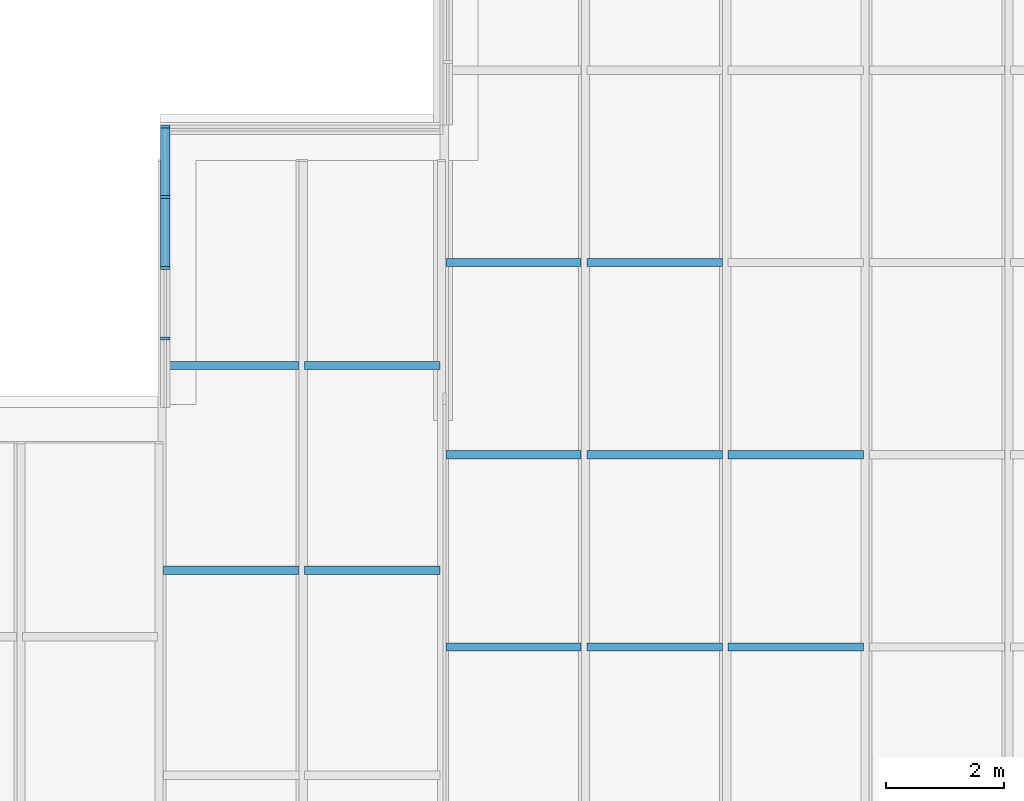
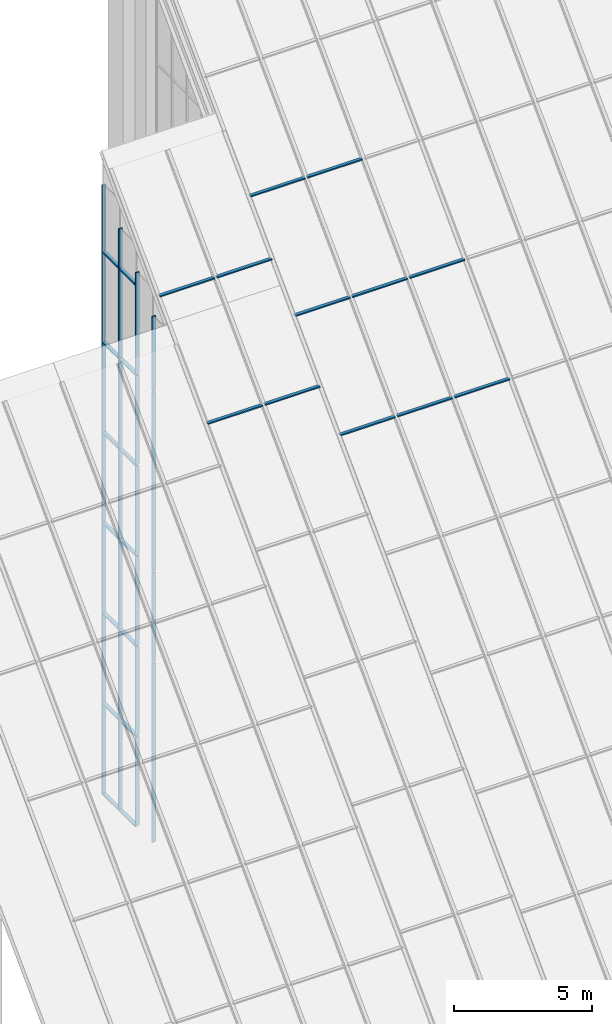
# One storey, part 5 of 25: 52 members, 31 elements without a shape of their own.
"""IFC4 building model written with IfcOpenShell, lengths in metres."""

from ifc_helpers import new_model, si_unit, direction, frame, origin, origin_2d, place, context, subcontext, project, spatial, rectangle, extrude, material, material_profile, profile_set, type_object, element, aggregate, save


model = new_model("IFC4")

# Units and contexts
model_context = context("Model", 3, precision=1e-05, world=origin(), true_north=direction((0.0, 1.0)))
body_context = subcontext(model_context, "Body", "Model", "MODEL_VIEW")
ifc_project = project(units=[si_unit("LENGTHUNIT", "METRE"), si_unit("AREAUNIT", "SQUARE_METRE"), si_unit("VOLUMEUNIT", "CUBIC_METRE"), si_unit("PLANEANGLEUNIT", "RADIAN"), si_unit("MASSUNIT", "GRAM", prefix="KILO")], contexts=[model_context])

# Site, building, storey
site_placement = place(None, origin())
site = spatial("IfcSite", under=ifc_project, at=site_placement, CompositionType="ELEMENT")
building_placement = place(site_placement, origin())
building = spatial("IfcBuilding", under=site, at=building_placement, Name="Baori Bourse Tower", CompositionType="ELEMENT")
storey_placement = place(building_placement, frame((0.0, 0.0, 378.300048828125)))
storey = spatial("IfcBuildingStorey", under=building, at=storey_placement, Name="Roof", CompositionType="ELEMENT", Elevation=378.300048828125)

# Curtain wall, member
ifc_material_1 = material(Name="Pale anodised aluminium", Category="aluminium")
curtain_wall_type_1 = type_object("IfcCurtainWallType", Name="CW3 Curtain wall", PredefinedType="NOTDEFINED", material=ifc_material_1)
curtain_wall_1_placement = place(storey_placement, origin())
curtain_wall_1 = element("IfcCurtainWall", 1, at=curtain_wall_1_placement, inside=storey, type_object=curtain_wall_type_1, Name="Curtain wall CW3 Roof 139", PredefinedType="NOTDEFINED")
ifc_material_2 = material(Name="Pale anodised aluminium", Category="aluminium")
ifc_material_profile_1 = material_profile(ifc_material_2, rectangle(XDim=0.159912109375, YDim=0.050048828125, at=origin_2d()), Name="Mullion 50x160")
ifc_profile_set_1 = profile_set([ifc_material_profile_1], Name="Pale anodised aluminium")
member_type_1 = type_object("IfcMemberType", Name="CW3 Curtain wall mullion", PredefinedType="MULLION", material=ifc_profile_set_1)
member_1_placement = place(storey_placement, frame((14.47998046875, 43.175048828125, -0.18994140625), z_axis=(0.0, 0.0, 1.0), x_axis=(1.0, 0.0, 0.0)))
member_1 = element("IfcMember", 2, at=member_1_placement, type_object=member_type_1, Name="Curtain wall CW3 mullion", PredefinedType="MULLION", context=body_context, shape_type="SweptSolid", body=[
    extrude(rectangle(XDim=0.159912109375, YDim=0.050048828125, at=origin_2d()), origin(), (0.0, 0.0, 1.0), 3.93994140625),
])

curtain_wall_2_placement = place(storey_placement, origin())
curtain_wall_2 = element("IfcCurtainWall", 3, at=curtain_wall_2_placement, inside=storey, type_object=curtain_wall_type_1, Name="Curtain wall CW3 Roof 140", PredefinedType="NOTDEFINED")
member_2_placement = place(storey_placement, frame((14.47998046875, 43.175048828125, 3.81005859375), z_axis=(0.0, 0.0, 1.0), x_axis=(1.0, 0.0, 0.0)))
member_2 = element("IfcMember", 4, at=member_2_placement, type_object=member_type_1, Name="Curtain wall CW3 mullion", PredefinedType="MULLION", context=body_context, shape_type="SweptSolid", body=[
    extrude(rectangle(XDim=0.159912109375, YDim=0.050048828125, at=origin_2d()), origin(), (0.0, 0.0, 1.0), 3.93994140625),
])

curtain_wall_3_placement = place(storey_placement, origin())
curtain_wall_3 = element("IfcCurtainWall", 5, at=curtain_wall_3_placement, inside=storey, type_object=curtain_wall_type_1, Name="Curtain wall CW3 Roof 141", PredefinedType="NOTDEFINED")
member_3_placement = place(storey_placement, frame((14.47998046875, 43.175048828125, 7.81005859375), z_axis=(0.0, 0.0, 1.0), x_axis=(1.0, 0.0, 0.0)))
member_3 = element("IfcMember", 6, at=member_3_placement, type_object=member_type_1, Name="Curtain wall CW3 mullion", PredefinedType="MULLION", context=body_context, shape_type="SweptSolid", body=[
    extrude(rectangle(XDim=0.159912109375, YDim=0.050048828125, at=origin_2d()), origin(), (0.0, 0.0, 1.0), 3.93994140625),
])

curtain_wall_4_placement = place(storey_placement, origin())
curtain_wall_4 = element("IfcCurtainWall", 7, at=curtain_wall_4_placement, inside=storey, type_object=curtain_wall_type_1, Name="Curtain wall CW3 Roof 142", PredefinedType="NOTDEFINED")
member_4_placement = place(storey_placement, frame((14.47998046875, 43.175048828125, 11.81005859375), z_axis=(0.0, 0.0, 1.0), x_axis=(1.0, 0.0, 0.0)))
member_4 = element("IfcMember", 8, at=member_4_placement, type_object=member_type_1, Name="Curtain wall CW3 mullion", PredefinedType="MULLION", context=body_context, shape_type="SweptSolid", body=[
    extrude(rectangle(XDim=0.159912109375, YDim=0.050048828125, at=origin_2d()), origin(), (0.0, 0.0, 1.0), 3.93994140625),
])

curtain_wall_5_placement = place(storey_placement, origin())
curtain_wall_5 = element("IfcCurtainWall", 9, at=curtain_wall_5_placement, inside=storey, type_object=curtain_wall_type_1, Name="Curtain wall CW3 Roof 143", PredefinedType="NOTDEFINED")
member_5_placement = place(storey_placement, frame((14.47998046875, 43.175048828125, 15.81005859375), z_axis=(0.0, 0.0, 1.0), x_axis=(1.0, 0.0, 0.0)))
member_5 = element("IfcMember", 10, at=member_5_placement, type_object=member_type_1, Name="Curtain wall CW3 mullion", PredefinedType="MULLION", context=body_context, shape_type="SweptSolid", body=[
    extrude(rectangle(XDim=0.159912109375, YDim=0.050048828125, at=origin_2d()), origin(), (0.0, 0.0, 1.0), 3.93994140625),
])

curtain_wall_6_placement = place(storey_placement, origin())
curtain_wall_6 = element("IfcCurtainWall", 11, at=curtain_wall_6_placement, inside=storey, type_object=curtain_wall_type_1, Name="Curtain wall CW3 Roof 144", PredefinedType="NOTDEFINED")
member_6_placement = place(storey_placement, frame((14.47998046875, 43.175048828125, 19.81005859375), z_axis=(0.0, 0.0, 1.0), x_axis=(1.0, 0.0, 0.0)))
member_6 = element("IfcMember", 12, at=member_6_placement, type_object=member_type_1, Name="Curtain wall CW3 mullion", PredefinedType="MULLION", context=body_context, shape_type="SweptSolid", body=[
    extrude(rectangle(XDim=0.159912109375, YDim=0.050048828125, at=origin_2d()), origin(), (0.0, 0.0, 1.0), 3.93994140625),
])

curtain_wall_7_placement = place(storey_placement, origin())
curtain_wall_7 = element("IfcCurtainWall", 13, at=curtain_wall_7_placement, inside=storey, type_object=curtain_wall_type_1, Name="Curtain wall CW3 Roof 145", PredefinedType="NOTDEFINED")
member_7_placement = place(storey_placement, frame((14.47998046875, 43.175048828125, 23.81005859375), z_axis=(0.0, 0.0, 1.0), x_axis=(1.0, 0.0, 0.0)))
member_7 = element("IfcMember", 14, at=member_7_placement, type_object=member_type_1, Name="Curtain wall CW3 mullion", PredefinedType="MULLION", context=body_context, shape_type="SweptSolid", body=[
    extrude(rectangle(XDim=0.159912109375, YDim=0.050048828125, at=origin_2d()), origin(), (0.0, 0.0, 1.0), 2.94482421875),
])

curtain_wall_8_placement = place(storey_placement, origin())
curtain_wall_8 = element("IfcCurtainWall", 15, at=curtain_wall_8_placement, inside=storey, type_object=curtain_wall_type_1, Name="Curtain wall CW3 Roof 146", PredefinedType="NOTDEFINED")
member_8_placement = place(storey_placement, frame((14.47998046875, 41.97509765625, -0.18994140625), z_axis=(0.0, 0.0, 1.0), x_axis=(1.0, 0.0, 0.0)))
member_8 = element("IfcMember", 16, at=member_8_placement, type_object=member_type_1, Name="Curtain wall CW3 mullion", PredefinedType="MULLION", context=body_context, shape_type="SweptSolid", body=[
    extrude(rectangle(XDim=0.159912109375, YDim=0.050048828125, at=origin_2d()), origin(), (0.0, 0.0, 1.0), 3.93994140625),
])

curtain_wall_9_placement = place(storey_placement, origin())
curtain_wall_9 = element("IfcCurtainWall", 17, at=curtain_wall_9_placement, inside=storey, type_object=curtain_wall_type_1, Name="Curtain wall CW3 Roof 147", PredefinedType="NOTDEFINED")
member_9_placement = place(storey_placement, frame((14.47998046875, 41.97509765625, 3.81005859375), z_axis=(0.0, 0.0, 1.0), x_axis=(1.0, 0.0, 0.0)))
member_9 = element("IfcMember", 18, at=member_9_placement, type_object=member_type_1, Name="Curtain wall CW3 mullion", PredefinedType="MULLION", context=body_context, shape_type="SweptSolid", body=[
    extrude(rectangle(XDim=0.159912109375, YDim=0.050048828125, at=origin_2d()), origin(), (0.0, 0.0, 1.0), 3.93994140625),
])

curtain_wall_10_placement = place(storey_placement, origin())
curtain_wall_10 = element("IfcCurtainWall", 19, at=curtain_wall_10_placement, inside=storey, type_object=curtain_wall_type_1, Name="Curtain wall CW3 Roof 148", PredefinedType="NOTDEFINED")
member_10_placement = place(storey_placement, frame((14.47998046875, 41.97509765625, 7.81005859375), z_axis=(0.0, 0.0, 1.0), x_axis=(1.0, 0.0, 0.0)))
member_10 = element("IfcMember", 20, at=member_10_placement, type_object=member_type_1, Name="Curtain wall CW3 mullion", PredefinedType="MULLION", context=body_context, shape_type="SweptSolid", body=[
    extrude(rectangle(XDim=0.159912109375, YDim=0.050048828125, at=origin_2d()), origin(), (0.0, 0.0, 1.0), 3.93994140625),
])

curtain_wall_11_placement = place(storey_placement, origin())
curtain_wall_11 = element("IfcCurtainWall", 21, at=curtain_wall_11_placement, inside=storey, type_object=curtain_wall_type_1, Name="Curtain wall CW3 Roof 149", PredefinedType="NOTDEFINED")
member_11_placement = place(storey_placement, frame((14.47998046875, 41.97509765625, 11.81005859375), z_axis=(0.0, 0.0, 1.0), x_axis=(1.0, 0.0, 0.0)))
member_11 = element("IfcMember", 22, at=member_11_placement, type_object=member_type_1, Name="Curtain wall CW3 mullion", PredefinedType="MULLION", context=body_context, shape_type="SweptSolid", body=[
    extrude(rectangle(XDim=0.159912109375, YDim=0.050048828125, at=origin_2d()), origin(), (0.0, 0.0, 1.0), 3.93994140625),
])

curtain_wall_12_placement = place(storey_placement, origin())
curtain_wall_12 = element("IfcCurtainWall", 23, at=curtain_wall_12_placement, inside=storey, type_object=curtain_wall_type_1, Name="Curtain wall CW3 Roof 150", PredefinedType="NOTDEFINED")
member_12_placement = place(storey_placement, frame((14.47998046875, 41.97509765625, 15.81005859375), z_axis=(0.0, 0.0, 1.0), x_axis=(1.0, 0.0, 0.0)))
member_12 = element("IfcMember", 24, at=member_12_placement, type_object=member_type_1, Name="Curtain wall CW3 mullion", PredefinedType="MULLION", context=body_context, shape_type="SweptSolid", body=[
    extrude(rectangle(XDim=0.159912109375, YDim=0.050048828125, at=origin_2d()), origin(), (0.0, 0.0, 1.0), 3.93994140625),
])

curtain_wall_13_placement = place(storey_placement, origin())
curtain_wall_13 = element("IfcCurtainWall", 25, at=curtain_wall_13_placement, inside=storey, type_object=curtain_wall_type_1, Name="Curtain wall CW3 Roof 151", PredefinedType="NOTDEFINED")
member_13_placement = place(storey_placement, frame((14.47998046875, 41.97509765625, 19.81005859375), z_axis=(0.0, 0.0, 1.0), x_axis=(1.0, 0.0, 0.0)))
member_13 = element("IfcMember", 26, at=member_13_placement, type_object=member_type_1, Name="Curtain wall CW3 mullion", PredefinedType="MULLION", context=body_context, shape_type="SweptSolid", body=[
    extrude(rectangle(XDim=0.159912109375, YDim=0.050048828125, at=origin_2d()), origin(), (0.0, 0.0, 1.0), 3.93994140625),
])

curtain_wall_14_placement = place(storey_placement, origin())
curtain_wall_14 = element("IfcCurtainWall", 27, at=curtain_wall_14_placement, inside=storey, type_object=curtain_wall_type_1, Name="Curtain wall CW3 Roof 152", PredefinedType="NOTDEFINED")
member_14_placement = place(storey_placement, frame((14.47998046875, 41.97509765625, 23.81005859375), z_axis=(0.0, 0.0, 1.0), x_axis=(1.0, 0.0, 0.0)))
member_14 = element("IfcMember", 28, at=member_14_placement, type_object=member_type_1, Name="Curtain wall CW3 mullion", PredefinedType="MULLION", context=body_context, shape_type="SweptSolid", body=[
    extrude(rectangle(XDim=0.159912109375, YDim=0.050048828125, at=origin_2d()), origin(), (0.0, 0.0, 1.0), 1.72998046875),
])

curtain_wall_15_placement = place(storey_placement, origin())
curtain_wall_15 = element("IfcCurtainWall", 29, at=curtain_wall_15_placement, inside=storey, type_object=curtain_wall_type_1, Name="Curtain wall CW3 Roof 153", PredefinedType="NOTDEFINED")
member_15_placement = place(storey_placement, frame((14.47998046875, 40.77490234375, -0.18994140625), z_axis=(0.0, 0.0, 1.0), x_axis=(1.0, 0.0, 0.0)))
member_15 = element("IfcMember", 30, at=member_15_placement, type_object=member_type_1, Name="Curtain wall CW3 mullion", PredefinedType="MULLION", context=body_context, shape_type="SweptSolid", body=[
    extrude(rectangle(XDim=0.159912109375, YDim=0.050048828125, at=origin_2d()), origin(), (0.0, 0.0, 1.0), 3.93994140625),
])
aggregate(curtain_wall_15, [member_15])

curtain_wall_16_placement = place(storey_placement, origin())
curtain_wall_16 = element("IfcCurtainWall", 31, at=curtain_wall_16_placement, inside=storey, type_object=curtain_wall_type_1, Name="Curtain wall CW3 Roof 154", PredefinedType="NOTDEFINED")
member_16_placement = place(storey_placement, frame((14.47998046875, 40.77490234375, 3.81005859375), z_axis=(0.0, 0.0, 1.0), x_axis=(1.0, 0.0, 0.0)))
member_16 = element("IfcMember", 32, at=member_16_placement, type_object=member_type_1, Name="Curtain wall CW3 mullion", PredefinedType="MULLION", context=body_context, shape_type="SweptSolid", body=[
    extrude(rectangle(XDim=0.159912109375, YDim=0.050048828125, at=origin_2d()), origin(), (0.0, 0.0, 1.0), 3.93994140625),
])
aggregate(curtain_wall_16, [member_16])

curtain_wall_17_placement = place(storey_placement, origin())
curtain_wall_17 = element("IfcCurtainWall", 33, at=curtain_wall_17_placement, inside=storey, type_object=curtain_wall_type_1, Name="Curtain wall CW3 Roof 155", PredefinedType="NOTDEFINED")
member_17_placement = place(storey_placement, frame((14.47998046875, 40.77490234375, 7.81005859375), z_axis=(0.0, 0.0, 1.0), x_axis=(1.0, 0.0, 0.0)))
member_17 = element("IfcMember", 34, at=member_17_placement, type_object=member_type_1, Name="Curtain wall CW3 mullion", PredefinedType="MULLION", context=body_context, shape_type="SweptSolid", body=[
    extrude(rectangle(XDim=0.159912109375, YDim=0.050048828125, at=origin_2d()), origin(), (0.0, 0.0, 1.0), 3.93994140625),
])
aggregate(curtain_wall_17, [member_17])

curtain_wall_18_placement = place(storey_placement, origin())
curtain_wall_18 = element("IfcCurtainWall", 35, at=curtain_wall_18_placement, inside=storey, type_object=curtain_wall_type_1, Name="Curtain wall CW3 Roof 156", PredefinedType="NOTDEFINED")
member_18_placement = place(storey_placement, frame((14.47998046875, 40.77490234375, 11.81005859375), z_axis=(0.0, 0.0, 1.0), x_axis=(1.0, 0.0, 0.0)))
member_18 = element("IfcMember", 36, at=member_18_placement, type_object=member_type_1, Name="Curtain wall CW3 mullion", PredefinedType="MULLION", context=body_context, shape_type="SweptSolid", body=[
    extrude(rectangle(XDim=0.159912109375, YDim=0.050048828125, at=origin_2d()), origin(), (0.0, 0.0, 1.0), 3.93994140625),
])
aggregate(curtain_wall_18, [member_18])

curtain_wall_19_placement = place(storey_placement, origin())
curtain_wall_19 = element("IfcCurtainWall", 37, at=curtain_wall_19_placement, inside=storey, type_object=curtain_wall_type_1, Name="Curtain wall CW3 Roof 157", PredefinedType="NOTDEFINED")
member_19_placement = place(storey_placement, frame((14.47998046875, 40.77490234375, 15.81005859375), z_axis=(0.0, 0.0, 1.0), x_axis=(1.0, 0.0, 0.0)))
member_19 = element("IfcMember", 38, at=member_19_placement, type_object=member_type_1, Name="Curtain wall CW3 mullion", PredefinedType="MULLION", context=body_context, shape_type="SweptSolid", body=[
    extrude(rectangle(XDim=0.159912109375, YDim=0.050048828125, at=origin_2d()), origin(), (0.0, 0.0, 1.0), 3.93994140625),
])
aggregate(curtain_wall_19, [member_19])

curtain_wall_20_placement = place(storey_placement, origin())
curtain_wall_20 = element("IfcCurtainWall", 39, at=curtain_wall_20_placement, inside=storey, type_object=curtain_wall_type_1, Name="Curtain wall CW3 Roof 158", PredefinedType="NOTDEFINED")
member_20_placement = place(storey_placement, frame((14.47998046875, 40.77490234375, 19.81005859375), z_axis=(0.0, 0.0, 1.0), x_axis=(1.0, 0.0, 0.0)))
member_20 = element("IfcMember", 40, at=member_20_placement, type_object=member_type_1, Name="Curtain wall CW3 mullion", PredefinedType="MULLION", context=body_context, shape_type="SweptSolid", body=[
    extrude(rectangle(XDim=0.159912109375, YDim=0.050048828125, at=origin_2d()), origin(), (0.0, 0.0, 1.0), 4.514892578125),
])
aggregate(curtain_wall_20, [member_20])

curtain_wall_21_placement = place(storey_placement, origin())
curtain_wall_21 = element("IfcCurtainWall", 41, at=curtain_wall_21_placement, inside=storey, type_object=curtain_wall_type_1, Name="Curtain wall CW3 Roof 159", PredefinedType="NOTDEFINED")
member_21_placement = place(storey_placement, frame((14.47998046875, 39.574951171875, -0.18994140625), z_axis=(0.0, 0.0, 1.0), x_axis=(1.0, 0.0, 0.0)))
member_21 = element("IfcMember", 42, at=member_21_placement, type_object=member_type_1, Name="Curtain wall CW3 mullion", PredefinedType="MULLION", context=body_context, shape_type="SweptSolid", body=[
    extrude(rectangle(XDim=0.159912109375, YDim=0.050048828125, at=origin_2d()), origin(), (0.0, 0.0, 1.0), 3.93994140625),
])
aggregate(curtain_wall_21, [member_21])

curtain_wall_22_placement = place(storey_placement, origin())
curtain_wall_22 = element("IfcCurtainWall", 43, at=curtain_wall_22_placement, inside=storey, type_object=curtain_wall_type_1, Name="Curtain wall CW3 Roof 160", PredefinedType="NOTDEFINED")
member_22_placement = place(storey_placement, frame((14.47998046875, 39.574951171875, 3.81005859375), z_axis=(0.0, 0.0, 1.0), x_axis=(1.0, 0.0, 0.0)))
member_22 = element("IfcMember", 44, at=member_22_placement, type_object=member_type_1, Name="Curtain wall CW3 mullion", PredefinedType="MULLION", context=body_context, shape_type="SweptSolid", body=[
    extrude(rectangle(XDim=0.159912109375, YDim=0.050048828125, at=origin_2d()), origin(), (0.0, 0.0, 1.0), 3.93994140625),
])
aggregate(curtain_wall_22, [member_22])

curtain_wall_23_placement = place(storey_placement, origin())
curtain_wall_23 = element("IfcCurtainWall", 45, at=curtain_wall_23_placement, inside=storey, type_object=curtain_wall_type_1, Name="Curtain wall CW3 Roof 161", PredefinedType="NOTDEFINED")
member_23_placement = place(storey_placement, frame((14.47998046875, 39.574951171875, 7.81005859375), z_axis=(0.0, 0.0, 1.0), x_axis=(1.0, 0.0, 0.0)))
member_23 = element("IfcMember", 46, at=member_23_placement, type_object=member_type_1, Name="Curtain wall CW3 mullion", PredefinedType="MULLION", context=body_context, shape_type="SweptSolid", body=[
    extrude(rectangle(XDim=0.159912109375, YDim=0.050048828125, at=origin_2d()), origin(), (0.0, 0.0, 1.0), 3.93994140625),
])
aggregate(curtain_wall_23, [member_23])

curtain_wall_24_placement = place(storey_placement, origin())
curtain_wall_24 = element("IfcCurtainWall", 47, at=curtain_wall_24_placement, inside=storey, type_object=curtain_wall_type_1, Name="Curtain wall CW3 Roof 162", PredefinedType="NOTDEFINED")
member_24_placement = place(storey_placement, frame((14.47998046875, 39.574951171875, 11.81005859375), z_axis=(0.0, 0.0, 1.0), x_axis=(1.0, 0.0, 0.0)))
member_24 = element("IfcMember", 48, at=member_24_placement, type_object=member_type_1, Name="Curtain wall CW3 mullion", PredefinedType="MULLION", context=body_context, shape_type="SweptSolid", body=[
    extrude(rectangle(XDim=0.159912109375, YDim=0.050048828125, at=origin_2d()), origin(), (0.0, 0.0, 1.0), 3.93994140625),
])
aggregate(curtain_wall_24, [member_24])

curtain_wall_25_placement = place(storey_placement, origin())
curtain_wall_25 = element("IfcCurtainWall", 49, at=curtain_wall_25_placement, inside=storey, type_object=curtain_wall_type_1, Name="Curtain wall CW3 Roof 163", PredefinedType="NOTDEFINED")
member_25_placement = place(storey_placement, frame((14.47998046875, 39.574951171875, 15.81005859375), z_axis=(0.0, 0.0, 1.0), x_axis=(1.0, 0.0, 0.0)))
member_25 = element("IfcMember", 50, at=member_25_placement, type_object=member_type_1, Name="Curtain wall CW3 mullion", PredefinedType="MULLION", context=body_context, shape_type="SweptSolid", body=[
    extrude(rectangle(XDim=0.159912109375, YDim=0.050048828125, at=origin_2d()), origin(), (0.0, 0.0, 1.0), 3.93994140625),
])
aggregate(curtain_wall_25, [member_25])

curtain_wall_26_placement = place(storey_placement, origin())
curtain_wall_26 = element("IfcCurtainWall", 51, at=curtain_wall_26_placement, inside=storey, type_object=curtain_wall_type_1, Name="Curtain wall CW3 Roof 164", PredefinedType="NOTDEFINED")
member_26_placement = place(storey_placement, frame((14.47998046875, 39.574951171875, 19.81005859375), z_axis=(0.0, 0.0, 1.0), x_axis=(1.0, 0.0, 0.0)))
member_26 = element("IfcMember", 52, at=member_26_placement, type_object=member_type_1, Name="Curtain wall CW3 mullion", PredefinedType="MULLION", context=body_context, shape_type="SweptSolid", body=[
    extrude(rectangle(XDim=0.159912109375, YDim=0.050048828125, at=origin_2d()), origin(), (0.0, 0.0, 1.0), 3.2998046875),
])
aggregate(curtain_wall_26, [member_26])

# Member
ifc_material_3 = material(Name="Pale anodised aluminium", Category="aluminium")
ifc_material_profile_2 = material_profile(ifc_material_3, rectangle(XDim=0.159912109375, YDim=0.06005859375, at=origin_2d()), Name="Transom 60x160")
ifc_profile_set_2 = profile_set([ifc_material_profile_2], Name="Pale anodised aluminium")
member_type_2 = type_object("IfcMemberType", Name="CW3 Curtain wall transom", PredefinedType="USERDEFINED", material=ifc_profile_set_2)
member_27_placement = place(storey_placement, frame((14.47998046875, 43.199951171875, -0.219970703125), z_axis=(0.0, -1.0, 0.0), x_axis=(1.0, 0.0, 0.0)))
member_27 = element("IfcMember", 53, at=member_27_placement, type_object=member_type_2, Name="Curtain wall CW3 sill rail", ObjectType="TRANSOM", PredefinedType="USERDEFINED", context=body_context, shape_type="SweptSolid", body=[
    extrude(rectangle(XDim=0.159912109375, YDim=0.06005859375, at=origin_2d()), origin(), (0.0, 0.0, 1.0), 1.199951171875),
])

aggregate(curtain_wall_1, [member_27, member_1])

member_28_placement = place(storey_placement, frame((14.47998046875, 43.199951171875, 3.780029296875), z_axis=(0.0, -1.0, 0.0), x_axis=(1.0, 0.0, 0.0)))
member_28 = element("IfcMember", 54, at=member_28_placement, type_object=member_type_2, Name="Curtain wall CW3 sill rail", ObjectType="TRANSOM", PredefinedType="USERDEFINED", context=body_context, shape_type="SweptSolid", body=[
    extrude(rectangle(XDim=0.159912109375, YDim=0.06005859375, at=origin_2d()), origin(), (0.0, 0.0, 1.0), 1.199951171875),
])

aggregate(curtain_wall_2, [member_28, member_2])

member_29_placement = place(storey_placement, frame((14.47998046875, 43.199951171875, 7.780029296875), z_axis=(0.0, -1.0, 0.0), x_axis=(1.0, 0.0, 0.0)))
member_29 = element("IfcMember", 55, at=member_29_placement, type_object=member_type_2, Name="Curtain wall CW3 sill rail", ObjectType="TRANSOM", PredefinedType="USERDEFINED", context=body_context, shape_type="SweptSolid", body=[
    extrude(rectangle(XDim=0.159912109375, YDim=0.06005859375, at=origin_2d()), origin(), (0.0, 0.0, 1.0), 1.199951171875),
])

aggregate(curtain_wall_3, [member_29, member_3])

member_30_placement = place(storey_placement, frame((14.47998046875, 43.199951171875, 11.780029296875), z_axis=(0.0, -1.0, 0.0), x_axis=(1.0, 0.0, 0.0)))
member_30 = element("IfcMember", 56, at=member_30_placement, type_object=member_type_2, Name="Curtain wall CW3 sill rail", ObjectType="TRANSOM", PredefinedType="USERDEFINED", context=body_context, shape_type="SweptSolid", body=[
    extrude(rectangle(XDim=0.159912109375, YDim=0.06005859375, at=origin_2d()), origin(), (0.0, 0.0, 1.0), 1.199951171875),
])

aggregate(curtain_wall_4, [member_30, member_4])

member_31_placement = place(storey_placement, frame((14.47998046875, 43.199951171875, 15.780029296875), z_axis=(0.0, -1.0, 0.0), x_axis=(1.0, 0.0, 0.0)))
member_31 = element("IfcMember", 57, at=member_31_placement, type_object=member_type_2, Name="Curtain wall CW3 sill rail", ObjectType="TRANSOM", PredefinedType="USERDEFINED", context=body_context, shape_type="SweptSolid", body=[
    extrude(rectangle(XDim=0.159912109375, YDim=0.06005859375, at=origin_2d()), origin(), (0.0, 0.0, 1.0), 1.199951171875),
])

aggregate(curtain_wall_5, [member_31, member_5])

member_32_placement = place(storey_placement, frame((14.47998046875, 43.199951171875, 19.780029296875), z_axis=(0.0, -1.0, 0.0), x_axis=(1.0, 0.0, 0.0)))
member_32 = element("IfcMember", 58, at=member_32_placement, type_object=member_type_2, Name="Curtain wall CW3 sill rail", ObjectType="TRANSOM", PredefinedType="USERDEFINED", context=body_context, shape_type="SweptSolid", body=[
    extrude(rectangle(XDim=0.159912109375, YDim=0.06005859375, at=origin_2d()), origin(), (0.0, 0.0, 1.0), 1.199951171875),
])

aggregate(curtain_wall_6, [member_32, member_6])

member_33_placement = place(storey_placement, frame((14.47998046875, 43.199951171875, 23.780029296875), z_axis=(0.0, -1.0, 0.0), x_axis=(1.0, 0.0, 0.0)))
member_33 = element("IfcMember", 59, at=member_33_placement, type_object=member_type_2, Name="Curtain wall CW3 sill rail", ObjectType="TRANSOM", PredefinedType="USERDEFINED", context=body_context, shape_type="SweptSolid", body=[
    extrude(rectangle(XDim=0.159912109375, YDim=0.06005859375, at=origin_2d()), origin(), (0.0, 0.0, 1.0), 1.199951171875),
])

aggregate(curtain_wall_7, [member_33, member_7])

member_34_placement = place(storey_placement, frame((14.47998046875, 42.0, -0.219970703125), z_axis=(0.0, -1.0, 0.0), x_axis=(1.0, 0.0, 0.0)))
member_34 = element("IfcMember", 60, at=member_34_placement, type_object=member_type_2, Name="Curtain wall CW3 sill rail", ObjectType="TRANSOM", PredefinedType="USERDEFINED", context=body_context, shape_type="SweptSolid", body=[
    extrude(rectangle(XDim=0.159912109375, YDim=0.06005859375, at=origin_2d()), origin(), (0.0, 0.0, 1.0), 1.199951171875),
])

aggregate(curtain_wall_8, [member_34, member_8])

member_35_placement = place(storey_placement, frame((14.47998046875, 42.0, 3.780029296875), z_axis=(0.0, -1.0, 0.0), x_axis=(1.0, 0.0, 0.0)))
member_35 = element("IfcMember", 61, at=member_35_placement, type_object=member_type_2, Name="Curtain wall CW3 sill rail", ObjectType="TRANSOM", PredefinedType="USERDEFINED", context=body_context, shape_type="SweptSolid", body=[
    extrude(rectangle(XDim=0.159912109375, YDim=0.06005859375, at=origin_2d()), origin(), (0.0, 0.0, 1.0), 1.199951171875),
])

aggregate(curtain_wall_9, [member_35, member_9])

member_36_placement = place(storey_placement, frame((14.47998046875, 42.0, 7.780029296875), z_axis=(0.0, -1.0, 0.0), x_axis=(1.0, 0.0, 0.0)))
member_36 = element("IfcMember", 62, at=member_36_placement, type_object=member_type_2, Name="Curtain wall CW3 sill rail", ObjectType="TRANSOM", PredefinedType="USERDEFINED", context=body_context, shape_type="SweptSolid", body=[
    extrude(rectangle(XDim=0.159912109375, YDim=0.06005859375, at=origin_2d()), origin(), (0.0, 0.0, 1.0), 1.199951171875),
])

aggregate(curtain_wall_10, [member_36, member_10])

member_37_placement = place(storey_placement, frame((14.47998046875, 42.0, 11.780029296875), z_axis=(0.0, -1.0, 0.0), x_axis=(1.0, 0.0, 0.0)))
member_37 = element("IfcMember", 63, at=member_37_placement, type_object=member_type_2, Name="Curtain wall CW3 sill rail", ObjectType="TRANSOM", PredefinedType="USERDEFINED", context=body_context, shape_type="SweptSolid", body=[
    extrude(rectangle(XDim=0.159912109375, YDim=0.06005859375, at=origin_2d()), origin(), (0.0, 0.0, 1.0), 1.199951171875),
])

aggregate(curtain_wall_11, [member_37, member_11])

member_38_placement = place(storey_placement, frame((14.47998046875, 42.0, 15.780029296875), z_axis=(0.0, -1.0, 0.0), x_axis=(1.0, 0.0, 0.0)))
member_38 = element("IfcMember", 64, at=member_38_placement, type_object=member_type_2, Name="Curtain wall CW3 sill rail", ObjectType="TRANSOM", PredefinedType="USERDEFINED", context=body_context, shape_type="SweptSolid", body=[
    extrude(rectangle(XDim=0.159912109375, YDim=0.06005859375, at=origin_2d()), origin(), (0.0, 0.0, 1.0), 1.199951171875),
])

aggregate(curtain_wall_12, [member_38, member_12])

member_39_placement = place(storey_placement, frame((14.47998046875, 42.0, 19.780029296875), z_axis=(0.0, -1.0, 0.0), x_axis=(1.0, 0.0, 0.0)))
member_39 = element("IfcMember", 65, at=member_39_placement, type_object=member_type_2, Name="Curtain wall CW3 sill rail", ObjectType="TRANSOM", PredefinedType="USERDEFINED", context=body_context, shape_type="SweptSolid", body=[
    extrude(rectangle(XDim=0.159912109375, YDim=0.06005859375, at=origin_2d()), origin(), (0.0, 0.0, 1.0), 1.199951171875),
])

aggregate(curtain_wall_13, [member_39, member_13])

member_40_placement = place(storey_placement, frame((14.47998046875, 42.0, 23.780029296875), z_axis=(0.0, -1.0, 0.0), x_axis=(1.0, 0.0, 0.0)))
member_40 = element("IfcMember", 66, at=member_40_placement, type_object=member_type_2, Name="Curtain wall CW3 sill rail", ObjectType="TRANSOM", PredefinedType="USERDEFINED", context=body_context, shape_type="SweptSolid", body=[
    extrude(rectangle(XDim=0.159912109375, YDim=0.06005859375, at=origin_2d()), origin(), (0.0, 0.0, 1.0), 1.199951171875),
])

aggregate(curtain_wall_14, [member_40, member_14])

# Curtain wall, members
ifc_material_4 = material(Name="Pale anodised aluminium", Category="aluminium")
curtain_wall_type_2 = type_object("IfcCurtainWallType", Name="CW4 Curtain wall", PredefinedType="NOTDEFINED", material=ifc_material_4)
curtain_wall_27_placement = place(storey_placement, origin())
curtain_wall_27 = element("IfcCurtainWall", 67, at=curtain_wall_27_placement, inside=storey, type_object=curtain_wall_type_2, Name="Curtain wall CW4 roof glazing 6", PredefinedType="NOTDEFINED")
ifc_material_5 = material(Name="Pale anodised aluminium", Category="aluminium")
ifc_material_profile_3 = material_profile(ifc_material_5, rectangle(XDim=0.139892578125, YDim=0.054931640625, at=origin_2d()), Name="Transom 55x140")
ifc_profile_set_3 = profile_set([ifc_material_profile_3], Name="Pale anodised aluminium")
member_type_3 = type_object("IfcMemberType", Name="CW4 Curtain wall transom", PredefinedType="USERDEFINED", material=ifc_profile_set_3)
member_41_placement = place(storey_placement, frame((14.449951171875, 35.630859375, 20.76123046875), z_axis=(1.0, 0.0, 0.0), x_axis=(0.0, 1.0, 0.0)))
member_41 = element("IfcMember", 68, at=member_41_placement, type_object=member_type_3, Name="Curtain wall CW4 cross bar 6.6", ObjectType="TRANSOM", PredefinedType="USERDEFINED", context=body_context, shape_type="SweptSolid", body=[
    extrude(rectangle(XDim=0.139892578125, YDim=0.054931640625, at=origin_2d()), origin(), (0.0, 0.0, 1.0), 2.300048828125),
])
member_42_placement = place(storey_placement, frame((14.449951171875, 39.115478515625, 24.289306640625), z_axis=(1.0, 0.0, 0.0), x_axis=(0.0, 1.0, 0.0)))
member_42 = element("IfcMember", 69, at=member_42_placement, type_object=member_type_3, Name="Curtain wall CW4 cross bar 6.7", ObjectType="TRANSOM", PredefinedType="USERDEFINED", context=body_context, shape_type="SweptSolid", body=[
    extrude(rectangle(XDim=0.139892578125, YDim=0.054931640625, at=origin_2d()), origin(), (0.0, 0.0, 1.0), 2.300048828125),
])
aggregate(curtain_wall_27, [member_41, member_42])

curtain_wall_28_placement = place(storey_placement, origin())
curtain_wall_28 = element("IfcCurtainWall", 70, at=curtain_wall_28_placement, inside=storey, type_object=curtain_wall_type_2, Name="Curtain wall CW4 roof glazing 7", PredefinedType="NOTDEFINED")
member_43_placement = place(storey_placement, frame((16.85009765625, 35.630859375, 20.76123046875), z_axis=(1.0, 0.0, 0.0), x_axis=(0.0, 1.0, 0.0)))
member_43 = element("IfcMember", 71, at=member_43_placement, type_object=member_type_3, Name="Curtain wall CW4 cross bar 7.6", ObjectType="TRANSOM", PredefinedType="USERDEFINED", context=body_context, shape_type="SweptSolid", body=[
    extrude(rectangle(XDim=0.139892578125, YDim=0.054931640625, at=origin_2d()), origin(), (0.0, 0.0, 1.0), 2.2998046875),
])
member_44_placement = place(storey_placement, frame((16.85009765625, 39.115478515625, 24.289306640625), z_axis=(1.0, 0.0, 0.0), x_axis=(0.0, 1.0, 0.0)))
member_44 = element("IfcMember", 72, at=member_44_placement, type_object=member_type_3, Name="Curtain wall CW4 cross bar 7.7", ObjectType="TRANSOM", PredefinedType="USERDEFINED", context=body_context, shape_type="SweptSolid", body=[
    extrude(rectangle(XDim=0.139892578125, YDim=0.054931640625, at=origin_2d()), origin(), (0.0, 0.0, 1.0), 2.2998046875),
])
aggregate(curtain_wall_28, [member_43, member_44])

curtain_wall_29_placement = place(storey_placement, origin())
curtain_wall_29 = element("IfcCurtainWall", 73, at=curtain_wall_29_placement, inside=storey, type_object=curtain_wall_type_2, Name="Curtain wall CW4 roof glazing 9", PredefinedType="NOTDEFINED")
member_45_placement = place(storey_placement, frame((19.25, 34.329345703125, 19.358154296875), z_axis=(1.0, 0.0, 0.0), x_axis=(0.0, 1.0, 0.0)))
member_45 = element("IfcMember", 74, at=member_45_placement, type_object=member_type_3, Name="Curtain wall CW4 cross bar 9.6", ObjectType="TRANSOM", PredefinedType="USERDEFINED", context=body_context, shape_type="SweptSolid", body=[
    extrude(rectangle(XDim=0.139892578125, YDim=0.054931640625, at=origin_2d()), origin(), (0.0, 0.0, 1.0), 2.300048828125),
])
member_46_placement = place(storey_placement, frame((19.25, 37.596923828125, 22.66650390625), z_axis=(1.0, 0.0, 0.0), x_axis=(0.0, 1.0, 0.0)))
member_46 = element("IfcMember", 75, at=member_46_placement, type_object=member_type_3, Name="Curtain wall CW4 cross bar 9.7", ObjectType="TRANSOM", PredefinedType="USERDEFINED", context=body_context, shape_type="SweptSolid", body=[
    extrude(rectangle(XDim=0.139892578125, YDim=0.054931640625, at=origin_2d()), origin(), (0.0, 0.0, 1.0), 2.300048828125),
])
member_47_placement = place(storey_placement, frame((19.25, 40.86474609375, 25.97509765625), z_axis=(1.0, 0.0, 0.0), x_axis=(0.0, 1.0, 0.0)))
member_47 = element("IfcMember", 76, at=member_47_placement, type_object=member_type_3, Name="Curtain wall CW4 cross bar 9.8", ObjectType="TRANSOM", PredefinedType="USERDEFINED", context=body_context, shape_type="SweptSolid", body=[
    extrude(rectangle(XDim=0.139892578125, YDim=0.054931640625, at=origin_2d()), origin(), (0.0, 0.0, 1.0), 2.300048828125),
])
aggregate(curtain_wall_29, [member_45, member_46, member_47])

curtain_wall_30_placement = place(storey_placement, origin())
curtain_wall_30 = element("IfcCurtainWall", 77, at=curtain_wall_30_placement, inside=storey, type_object=curtain_wall_type_2, Name="Curtain wall CW4 roof glazing 11", PredefinedType="NOTDEFINED")
member_48_placement = place(storey_placement, frame((21.64990234375, 34.329345703125, 19.358154296875), z_axis=(1.0, 0.0, 0.0), x_axis=(0.0, 1.0, 0.0)))
member_48 = element("IfcMember", 78, at=member_48_placement, type_object=member_type_3, Name="Curtain wall CW4 cross bar 11.6", ObjectType="TRANSOM", PredefinedType="USERDEFINED", context=body_context, shape_type="SweptSolid", body=[
    extrude(rectangle(XDim=0.139892578125, YDim=0.054931640625, at=origin_2d()), origin(), (0.0, 0.0, 1.0), 2.300048828125),
])
member_49_placement = place(storey_placement, frame((21.64990234375, 37.596923828125, 22.66650390625), z_axis=(1.0, 0.0, 0.0), x_axis=(0.0, 1.0, 0.0)))
member_49 = element("IfcMember", 79, at=member_49_placement, type_object=member_type_3, Name="Curtain wall CW4 cross bar 11.7", ObjectType="TRANSOM", PredefinedType="USERDEFINED", context=body_context, shape_type="SweptSolid", body=[
    extrude(rectangle(XDim=0.139892578125, YDim=0.054931640625, at=origin_2d()), origin(), (0.0, 0.0, 1.0), 2.300048828125),
])
member_50_placement = place(storey_placement, frame((21.64990234375, 40.86474609375, 25.97509765625), z_axis=(1.0, 0.0, 0.0), x_axis=(0.0, 1.0, 0.0)))
member_50 = element("IfcMember", 80, at=member_50_placement, type_object=member_type_3, Name="Curtain wall CW4 cross bar 11.8", ObjectType="TRANSOM", PredefinedType="USERDEFINED", context=body_context, shape_type="SweptSolid", body=[
    extrude(rectangle(XDim=0.139892578125, YDim=0.054931640625, at=origin_2d()), origin(), (0.0, 0.0, 1.0), 2.300048828125),
])
aggregate(curtain_wall_30, [member_48, member_49, member_50])

curtain_wall_31_placement = place(storey_placement, origin())
curtain_wall_31 = element("IfcCurtainWall", 81, at=curtain_wall_31_placement, inside=storey, type_object=curtain_wall_type_2, Name="Curtain wall CW4 roof glazing 13", PredefinedType="NOTDEFINED")
member_51_placement = place(storey_placement, frame((24.050048828125, 34.329345703125, 19.358154296875), z_axis=(1.0, 0.0, 0.0), x_axis=(0.0, 1.0, 0.0)))
member_51 = element("IfcMember", 82, at=member_51_placement, type_object=member_type_3, Name="Curtain wall CW4 cross bar 13.6", ObjectType="TRANSOM", PredefinedType="USERDEFINED", context=body_context, shape_type="SweptSolid", body=[
    extrude(rectangle(XDim=0.139892578125, YDim=0.054931640625, at=origin_2d()), origin(), (0.0, 0.0, 1.0), 2.300048828125),
])
member_52_placement = place(storey_placement, frame((24.050048828125, 37.596923828125, 22.66650390625), z_axis=(1.0, 0.0, 0.0), x_axis=(0.0, 1.0, 0.0)))
member_52 = element("IfcMember", 83, at=member_52_placement, type_object=member_type_3, Name="Curtain wall CW4 cross bar 13.7", ObjectType="TRANSOM", PredefinedType="USERDEFINED", context=body_context, shape_type="SweptSolid", body=[
    extrude(rectangle(XDim=0.139892578125, YDim=0.054931640625, at=origin_2d()), origin(), (0.0, 0.0, 1.0), 2.300048828125),
])
aggregate(curtain_wall_31, [member_51, member_52])

save(model, "model.ifc")
